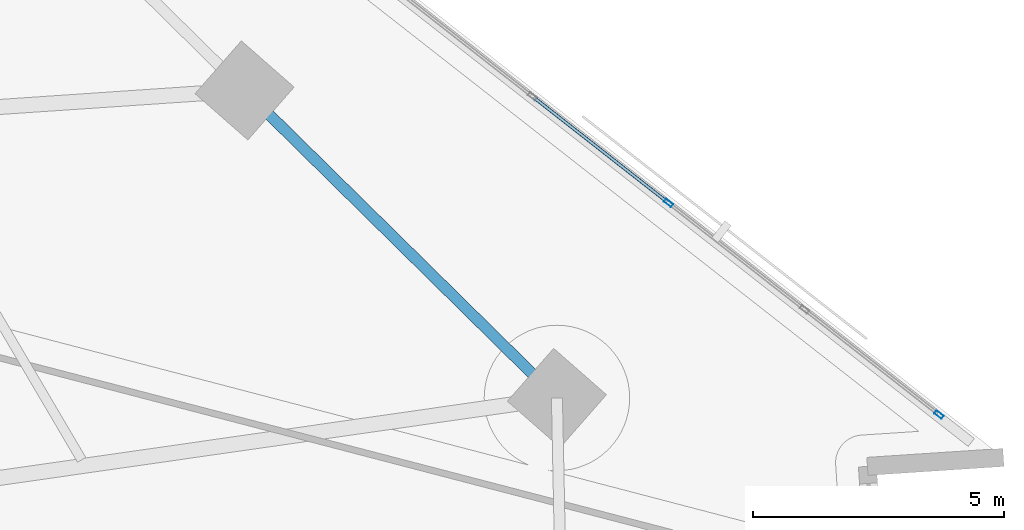
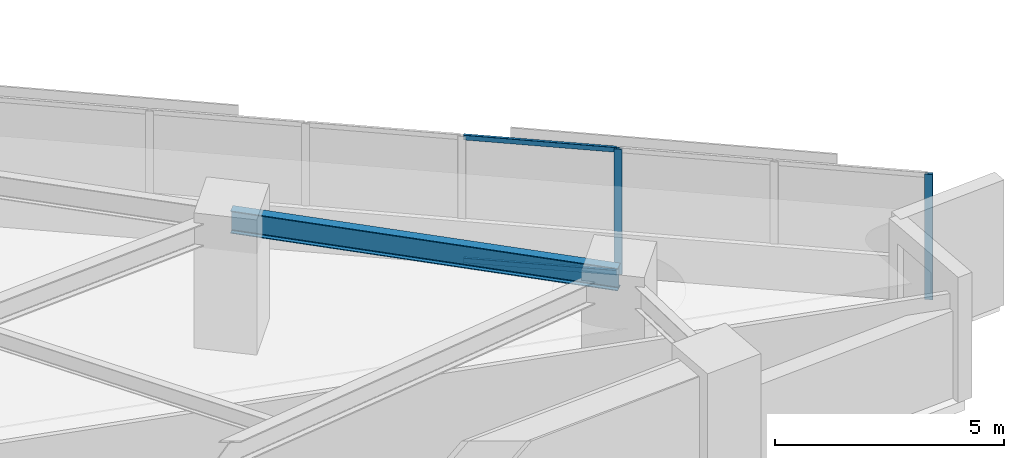
# One storey, part 4 of 16: 4 members, 1 beam, 1 element without a shape of its own.
"""IFC4 building model written with IfcOpenShell, lengths in metres."""

from ifc_helpers import new_model, si_unit, direction, frame, origin, origin_2d, place, context, subcontext, project, spatial, hollow_rectangle, i_section, extrude, material, material_profile, profile_set, type_object, element, aggregate, save


model = new_model("IFC4")

# Units and contexts
model_context = context("Model", 3, precision=1e-05, world=origin(), true_north=direction((0.0, 1.0)))
body_context = subcontext(model_context, "Body", "Model", "MODEL_VIEW")
ifc_project = project(units=[si_unit("LENGTHUNIT", "METRE"), si_unit("AREAUNIT", "SQUARE_METRE"), si_unit("VOLUMEUNIT", "CUBIC_METRE"), si_unit("PLANEANGLEUNIT", "RADIAN"), si_unit("MASSUNIT", "GRAM", prefix="KILO")], contexts=[model_context])

# Site, building, storey
site_placement = place(None, origin())
site = spatial("IfcSite", under=ifc_project, at=site_placement, CompositionType="ELEMENT")
building_placement = place(site_placement, origin())
building = spatial("IfcBuilding", under=site, at=building_placement, Name="Narakoshi Arena Tower", CompositionType="ELEMENT")
storey_placement = place(building_placement, frame((0.0, 0.0, 66.89990234375)))
storey = spatial("IfcBuildingStorey", under=building, at=storey_placement, Name="L17", CompositionType="ELEMENT", Elevation=66.89990234375)

# Beam
ifc_material_1 = material(Name="Structural steel S355J2", Category="steel")
ifc_material_profile_1 = material_profile(ifc_material_1, i_section(OverallWidth=0.219970703125, OverallDepth=0.60009765625, WebThickness=0.011962890625, FlangeThickness=0.01904296875, FilletRadius=0.02392578125, at=origin_2d()), Name="IPE600")
ifc_profile_set_1 = profile_set([ifc_material_profile_1], Name="Structural steel S355J2")
beam_type = type_object("IfcBeamType", Name="BM-EDGE-600", PredefinedType="BEAM", material=ifc_profile_set_1)
beam_placement = place(storey_placement, frame((113.21630859375, 38.669189453125, 3.0400390625), z_axis=(-0.712519972485, 0.701651828765, 0.0), x_axis=(-0.701651828765, -0.712519972485, 0.0)))
element("IfcBeam", 1, at=beam_placement, inside=storey, type_object=beam_type, Name="L17 Perimeter Edge Girder 05", PredefinedType="BEAM", context=body_context, shape_type="SweptSolid", body=[
    extrude(i_section(OverallWidth=0.219970703125, OverallDepth=0.60009765625, WebThickness=0.011962890625, FlangeThickness=0.01904296875, FilletRadius=0.02392578125, at=origin_2d()), origin(), (0.0, 0.0, 1.0), 8.738525390625),
])

# Curtain wall, members
ifc_material_2 = material(Name="Anodised bronze aluminium 6063-T6", Category="aluminium")
curtain_wall_type = type_object("IfcCurtainWallType", Name="CW-HYP-LOW", PredefinedType="NOTDEFINED", material=ifc_material_2)
curtain_wall_placement = place(storey_placement, origin())
curtain_wall = element("IfcCurtainWall", 2, at=curtain_wall_placement, inside=storey, type_object=curtain_wall_type, Name="L17 Folded Hypotenuse Curtain Wall 1-1", PredefinedType="NOTDEFINED")
ifc_material_profile_2 = material_profile(ifc_material_2, hollow_rectangle(XDim=0.074951171875, YDim=0.179931640625, WallThickness=0.00390625, OuterFilletRadius=0.0048828125, at=origin_2d()), Name="MUL180x75x4")
ifc_profile_set_2 = profile_set([ifc_material_profile_2], Name="Anodised bronze aluminium 6063-T6")
member_type_1 = type_object("IfcMemberType", Name="MEM-MUL-180", PredefinedType="MULLION", material=ifc_profile_set_2)
member_1_placement = place(storey_placement, frame((120.83251953125, 38.336181640625, 0.0), z_axis=(0.0, 0.0, 1.0), x_axis=(-0.616458234641, -0.787387607817, 0.0)))
member_1 = element("IfcMember", 3, at=member_1_placement, type_object=member_type_1, Name="CW-01 mullion 1", PredefinedType="MULLION", context=body_context, shape_type="SweptSolid", body=[
    extrude(hollow_rectangle(XDim=0.074951171875, YDim=0.179931640625, WallThickness=0.00390625, OuterFilletRadius=0.0048828125, at=origin_2d()), origin(), (0.0, 0.0, 1.0), 3.340087890625),
])
member_2_placement = place(storey_placement, frame((115.43896484375, 42.558837890625, 0.0), z_axis=(0.0, 0.0, 1.0), x_axis=(-0.616458234641, -0.787387607817, 0.0)))
member_2 = element("IfcMember", 4, at=member_2_placement, type_object=member_type_1, Name="CW-01 mullion 3", PredefinedType="MULLION", context=body_context, shape_type="SweptSolid", body=[
    extrude(hollow_rectangle(XDim=0.074951171875, YDim=0.179931640625, WallThickness=0.00390625, OuterFilletRadius=0.0048828125, at=origin_2d()), origin(), (0.0, 0.0, 1.0), 3.340087890625),
])
ifc_material_profile_3 = material_profile(ifc_material_2, hollow_rectangle(XDim=0.06494140625, YDim=0.1298828125, WallThickness=0.00390625, OuterFilletRadius=0.0048828125, at=origin_2d()), Name="TRN130x65x4")
ifc_profile_set_3 = profile_set([ifc_material_profile_3], Name="Anodised bronze aluminium 6063-T6")
member_type_2 = type_object("IfcMemberType", Name="MEM-TRN-130", PredefinedType="USERDEFINED", material=ifc_profile_set_3)
member_3_placement = place(storey_placement, frame((115.409423828125, 42.58203125, 0.03271484375), z_axis=(-0.787373456673, 0.616476309137, 0.0), x_axis=(-0.616476309137, -0.787373456673, 0.0)))
member_3 = element("IfcMember", 5, at=member_3_placement, type_object=member_type_2, Name="CW-01 transom 3.1", ObjectType="TRANSOM", PredefinedType="USERDEFINED", context=body_context, shape_type="SweptSolid", body=[
    extrude(hollow_rectangle(XDim=0.06494140625, YDim=0.1298828125, WallThickness=0.00390625, OuterFilletRadius=0.0048828125, at=origin_2d()), origin(), (0.0, 0.0, 1.0), 3.36865234375),
])
member_4_placement = place(storey_placement, frame((115.409423828125, 42.58203125, 3.3076171875), z_axis=(-0.787373456673, 0.616476309137, 0.0), x_axis=(-0.616476309137, -0.787373456673, 0.0)))
member_4 = element("IfcMember", 6, at=member_4_placement, type_object=member_type_2, Name="CW-01 transom 3.2", ObjectType="TRANSOM", PredefinedType="USERDEFINED", context=body_context, shape_type="SweptSolid", body=[
    extrude(hollow_rectangle(XDim=0.06494140625, YDim=0.1298828125, WallThickness=0.00390625, OuterFilletRadius=0.0048828125, at=origin_2d()), origin(), (0.0, 0.0, 1.0), 3.36865234375),
])
aggregate(curtain_wall, [member_1, member_2, member_3, member_4])

save(model, "model.ifc")
